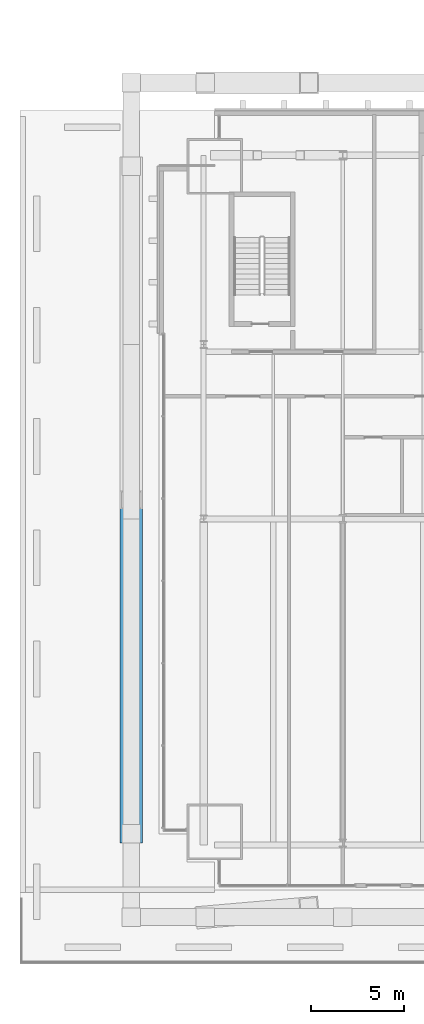
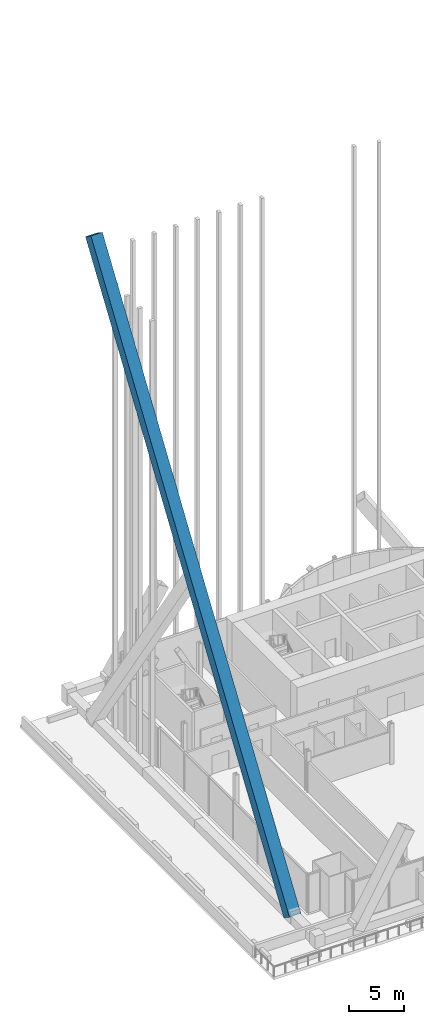
# One storey, part 6 of 29: 1 member.
"""IFC4 building model written with IfcOpenShell, lengths in metres."""

from ifc_helpers import new_model, si_unit, direction, frame, origin, origin_2d, place, context, subcontext, project, spatial, hollow_rectangle, extrude, material, material_profile, profile_set, type_object, element, save


model = new_model("IFC4")

# Units and contexts
model_context = context("Model", 3, precision=1e-05, world=origin(), true_north=direction((0.0, 1.0)))
body_context = subcontext(model_context, "Body", "Model", "MODEL_VIEW")
ifc_project = project(units=[si_unit("LENGTHUNIT", "METRE"), si_unit("AREAUNIT", "SQUARE_METRE"), si_unit("VOLUMEUNIT", "CUBIC_METRE"), si_unit("PLANEANGLEUNIT", "RADIAN"), si_unit("MASSUNIT", "GRAM", prefix="KILO")], contexts=[model_context])

# Site, building, storey
site_placement = place(None, origin())
site = spatial("IfcSite", under=ifc_project, at=site_placement, CompositionType="ELEMENT")
building_placement = place(site_placement, origin())
building = spatial("IfcBuilding", under=site, at=building_placement, Name="Bicima Exchange Tower", CompositionType="ELEMENT")
storey_placement = place(building_placement, frame((0.0, 0.0, 35.0)))
storey = spatial("IfcBuildingStorey", under=building, at=storey_placement, Name="L06", CompositionType="ELEMENT", Elevation=35.0)

# Member
ifc_material = material(Name="Steel ASTM A572 Gr 50", Category="steel")
ifc_material_profile = material_profile(ifc_material, hollow_rectangle(XDim=1.199951171875, YDim=1.199951171875, WallThickness=0.070068359375, at=origin_2d()))
ifc_profile_set = profile_set([ifc_material_profile], Name="Steel ASTM A572 Gr 50")
member_type = type_object("IfcMemberType", Name="Exo mega brace BOX 1200x1200x70", PredefinedType="BRACE", material=ifc_profile_set)
member_placement = place(storey_placement, frame((-37.5, -38.9755859375, 0.449951171875), z_axis=(0.0, 0.557653763553, 0.830073659379), x_axis=(-1.0, 0.0, 0.0)))
element("IfcMember", 1, at=member_placement, inside=storey, type_object=member_type, Name="Exo mega brace end", PredefinedType="BRACE", context=body_context, shape_type="SweptSolid", body=[
    extrude(hollow_rectangle(XDim=1.199951171875, YDim=1.199951171875, WallThickness=0.070068359375, at=origin_2d()), origin(), (0.0, 0.0, 1.0), 64.512451171875),
])

save(model, "model.ifc")
